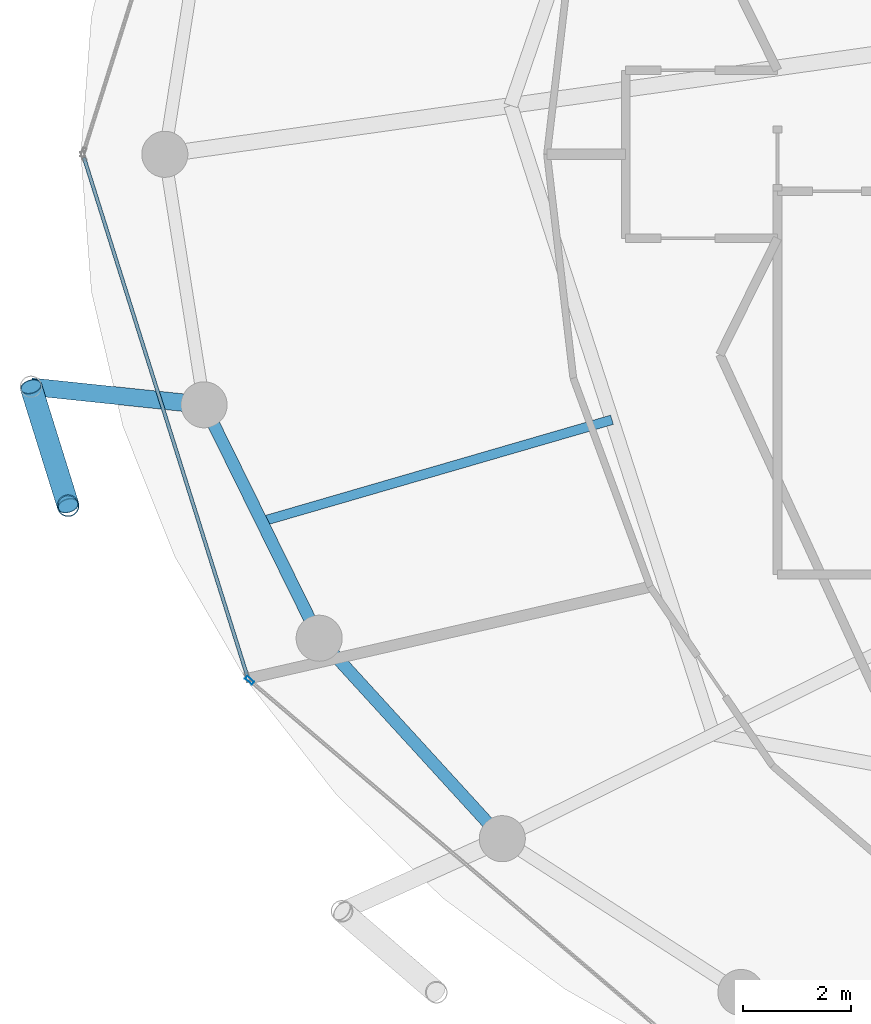
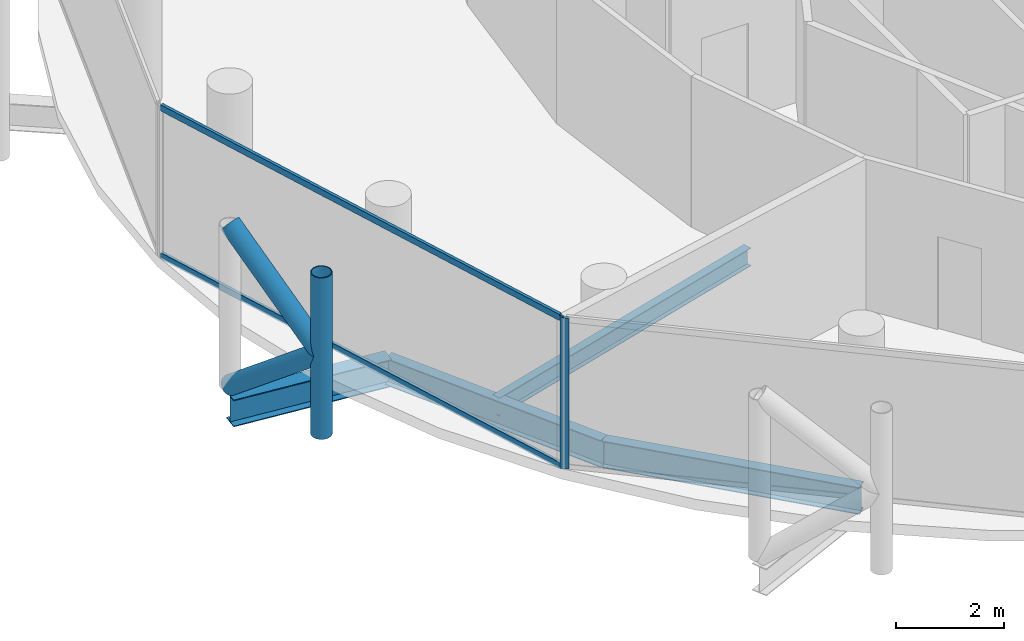
# One storey, part 3 of 27: 6 members, 4 beams, 2 elements without a shape of their own.
"""IFC4 building model written with IfcOpenShell, lengths in metres."""

from ifc_helpers import new_model, si_unit, direction, frame, origin, origin_2d, place, context, subcontext, project, spatial, hollow_rectangle, hollow_circle, i_section, extrude, material, layer, layer_set, material_profile, profile_set, type_object, element, aggregate, save


model = new_model("IFC4")

# Units and contexts
model_context = context("Model", 3, precision=1e-05, world=origin(), true_north=direction((0.0, 1.0)))
body_context = subcontext(model_context, "Body", "Model", "MODEL_VIEW")
ifc_project = project(units=[si_unit("LENGTHUNIT", "METRE"), si_unit("AREAUNIT", "SQUARE_METRE"), si_unit("VOLUMEUNIT", "CUBIC_METRE"), si_unit("PLANEANGLEUNIT", "RADIAN"), si_unit("MASSUNIT", "GRAM", prefix="KILO")], contexts=[model_context])

# Site, building, storey
site_placement = place(None, origin())
site = spatial("IfcSite", under=ifc_project, at=site_placement, CompositionType="ELEMENT")
building_placement = place(site_placement, origin())
building = spatial("IfcBuilding", under=site, at=building_placement, Name="Nuhasar Tower", CompositionType="ELEMENT")
storey_placement = place(building_placement, frame((0.0, 0.0, 208.14990234375)))
storey = spatial("IfcBuildingStorey", under=building, at=storey_placement, Name="L50", CompositionType="ELEMENT", Elevation=208.14990234375)

# Beams
ifc_material_1 = material(Name="Steel S355", Category="steel")
ifc_material_profile_1 = material_profile(ifc_material_1, i_section(OverallWidth=0.177978515625, OverallDepth=0.406005859375, WebThickness=0.0078125, FlangeThickness=0.0126953125, at=origin_2d()), Name="W16X40")
ifc_profile_set_1 = profile_set([ifc_material_profile_1], Name="Steel S355")
beam_type_1 = type_object("IfcBeamType", Name="BM-JST-W16X40", PredefinedType="JOIST", material=ifc_profile_set_1)
beam_1_placement = place(storey_placement, frame((25.9970703125, 21.904052734375, -0.44287109375), z_axis=(-0.960312689798, -0.27892568511, 0.0), x_axis=(0.27892568511, -0.960312689798, 0.0)))
element("IfcBeam", 1, at=beam_1_placement, inside=storey, type_object=beam_type_1, Name="L50 Secondary Floor Joist 08", PredefinedType="JOIST", context=body_context, shape_type="SweptSolid", body=[
    extrude(i_section(OverallWidth=0.177978515625, OverallDepth=0.406005859375, WebThickness=0.0078125, FlangeThickness=0.0126953125, at=origin_2d()), origin(), (0.0, 0.0, 1.0), 6.729248046875),
])
ifc_material_profile_2 = material_profile(ifc_material_1, i_section(OverallWidth=0.22802734375, OverallDepth=0.60791015625, WebThickness=0.01123046875, FlangeThickness=0.017333984375, at=origin_2d()), Name="W24X76")
ifc_profile_set_2 = profile_set([ifc_material_profile_2], Name="Steel S355")
beam_type_2 = type_object("IfcBeamType", Name="BM-RING-W24X76", PredefinedType="SPANDREL", material=ifc_profile_set_2)
beam_2_placement = place(storey_placement, frame((18.47412109375, 22.179931640625, -0.5439453125), z_axis=(0.442262779282, -0.896885518928, 0.0), x_axis=(0.896885518928, 0.442262779282, 0.0)))
element("IfcBeam", 2, at=beam_2_placement, inside=storey, type_object=beam_type_2, Name="L50 Perimeter Ring Spandrel 14", PredefinedType="SPANDREL", context=body_context, shape_type="SweptSolid", body=[
    extrude(i_section(OverallWidth=0.22802734375, OverallDepth=0.60791015625, WebThickness=0.01123046875, FlangeThickness=0.017333984375, at=origin_2d()), origin(), (0.0, 0.0, 1.0), 4.7998046875),
])
beam_3_placement = place(storey_placement, frame((20.596923828125, 17.875, -0.5439453125), z_axis=(0.674449692975, -0.738320805373, 0.0), x_axis=(0.738320805373, 0.674449692975, 0.0)))
element("IfcBeam", 3, at=beam_3_placement, inside=storey, type_object=beam_type_2, Name="L50 Perimeter Ring Spandrel 15", PredefinedType="SPANDREL", context=body_context, shape_type="SweptSolid", body=[
    extrude(i_section(OverallWidth=0.22802734375, OverallDepth=0.60791015625, WebThickness=0.01123046875, FlangeThickness=0.017333984375, at=origin_2d()), origin(), (0.0, 0.0, 1.0), 5.00732421875),
])
ifc_material_profile_3 = material_profile(ifc_material_1, i_section(OverallWidth=0.323974609375, OverallDepth=0.611083984375, WebThickness=0.0126953125, FlangeThickness=0.01904296875, at=origin_2d()), Name="W24X104")
ifc_profile_set_3 = profile_set([ifc_material_profile_3], Name="Steel S355")
beam_type_3 = type_object("IfcBeamType", Name="BM-TIE-W24X104", PredefinedType="BEAM", material=ifc_profile_set_3)
beam_4_placement = place(storey_placement, frame((18.47412109375, 22.179931640625, -0.544921875), z_axis=(-0.994571111079, 0.10405914187, 0.0), x_axis=(-0.10405914187, -0.994571111079, 0.0)))
element("IfcBeam", 4, at=beam_4_placement, inside=storey, type_object=beam_type_3, Name="L50 Exoskeleton Node Tie Beam 07", PredefinedType="BEAM", context=body_context, shape_type="SweptSolid", body=[
    extrude(i_section(OverallWidth=0.323974609375, OverallDepth=0.611083984375, WebThickness=0.0126953125, FlangeThickness=0.01904296875, at=origin_2d()), origin(), (0.0, 0.0, 1.0), 3.20947265625),
])

# Curtain wall, member
ifc_material_2 = material(Name="Aluminium 6063-T6", Category="aluminium")
ifc_layer = layer(ifc_material_2, 0.18994140625)
ifc_layer_set = layer_set([ifc_layer], Name="Aluminium 6063-T6")
curtain_wall_type = type_object("IfcCurtainWallType", Name="CW-Z3-RES", PredefinedType="NOTDEFINED", material=ifc_layer_set)
curtain_wall_1_placement = place(storey_placement, origin())
curtain_wall_1 = element("IfcCurtainWall", 5, at=curtain_wall_1_placement, inside=storey, type_object=curtain_wall_type, Name="L50 Unitised Curtain Wall 08", PredefinedType="NOTDEFINED")
ifc_material_profile_4 = material_profile(ifc_material_2, hollow_rectangle(XDim=0.06494140625, YDim=0.169921875, WallThickness=0.0048828125, at=origin_2d()), Name="CWM-4")
ifc_profile_set_4 = profile_set([ifc_material_profile_4], Name="Aluminium 6063-T6")
member_type_1 = type_object("IfcMemberType", Name="CW-MUL-S4", PredefinedType="MULLION", material=ifc_profile_set_4)
member_1_placement = place(storey_placement, frame((19.313720703125, 17.098876953125, 0.0), z_axis=(0.0, 0.0, 1.0), x_axis=(0.64789521578, 0.761729472562, 0.0)))
member_1 = element("IfcMember", 6, at=member_1_placement, type_object=member_type_1, Name="CW-Z3 mullion 1", PredefinedType="MULLION", context=body_context, shape_type="SweptSolid", body=[
    extrude(hollow_rectangle(XDim=0.06494140625, YDim=0.169921875, WallThickness=0.0048828125, at=origin_2d()), origin(), (0.0, 0.0, 1.0), 3.41015625),
])
aggregate(curtain_wall_1, [member_1])

# Curtain wall, members
curtain_wall_2_placement = place(storey_placement, origin())
curtain_wall_2 = element("IfcCurtainWall", 7, at=curtain_wall_2_placement, inside=storey, type_object=curtain_wall_type, Name="L50 Unitised Curtain Wall 07", PredefinedType="NOTDEFINED")
ifc_material_profile_5 = material_profile(ifc_material_2, hollow_rectangle(XDim=0.06494140625, YDim=0.139892578125, WallThickness=0.00439453125, at=origin_2d()), Name="CWT-4")
ifc_profile_set_5 = profile_set([ifc_material_profile_5], Name="Aluminium 6063-T6")
member_type_2 = type_object("IfcMemberType", Name="CW-TRN-S4", PredefinedType="USERDEFINED", material=ifc_profile_set_5)
member_2_placement = place(storey_placement, frame((16.259521484375, 26.738037109375, 0.03271484375), z_axis=(0.300430390604, -0.953803743126, 0.0), x_axis=(0.953803743126, 0.300430390604, 0.0)))
member_2 = element("IfcMember", 8, at=member_2_placement, type_object=member_type_2, Name="CW-Z3 transom 1.1", ObjectType="TRANSOM", PredefinedType="USERDEFINED", context=body_context, shape_type="SweptSolid", body=[
    extrude(hollow_rectangle(XDim=0.06494140625, YDim=0.139892578125, WallThickness=0.00439453125, at=origin_2d()), origin(), (0.0, 0.0, 1.0), 10.01904296875),
])
member_3_placement = place(storey_placement, frame((16.259521484375, 26.738037109375, 3.377685546875), z_axis=(0.300430390604, -0.953803743126, 0.0), x_axis=(0.953803743126, 0.300430390604, 0.0)))
member_3 = element("IfcMember", 9, at=member_3_placement, type_object=member_type_2, Name="CW-Z3 transom 1.2", ObjectType="TRANSOM", PredefinedType="USERDEFINED", context=body_context, shape_type="SweptSolid", body=[
    extrude(hollow_rectangle(XDim=0.06494140625, YDim=0.139892578125, WallThickness=0.00439453125, at=origin_2d()), origin(), (0.0, 0.0, 1.0), 10.01904296875),
])
aggregate(curtain_wall_2, [member_2, member_3])

# Members
ifc_material_3 = material(Name="Steel S460", Category="steel")
ifc_material_profile_6 = material_profile(ifc_material_3, hollow_circle(Radius=0.203125, WallThickness=0.01904296875, at=origin_2d()), Name="HSS406.4X19.1")
ifc_profile_set_6 = profile_set([ifc_material_profile_6], Name="Steel S460")
member_type_3 = type_object("IfcMemberType", Name="EXO-BRONZE-406", PredefinedType="BRACE", material=ifc_profile_set_6)
member_4_placement = place(storey_placement, frame((15.967041015625, 20.319091796875, 0.0), z_axis=(0.0, 0.0, 1.0), x_axis=(1.0, 0.0, 0.0)))
element("IfcMember", 10, at=member_4_placement, inside=storey, type_object=member_type_3, Name="L50 Exoskeleton Chord Column EC-07B", PredefinedType="BRACE", context=body_context, shape_type="SweptSolid", body=[
    extrude(hollow_circle(Radius=0.203125, WallThickness=0.01904296875, at=origin_2d()), origin(), (0.0, 0.0, 1.0), 3.650146484375),
])
for number, where, z_axis, x_axis, name in (
    (11, (15.281982421875, 22.513916015625, 0.0), (0.233360356896, -0.747651321632, 0.621739853228), (0.954581948223, 0.297948492404, 0.0), "L50 Bronze Diagrid Brace W1-07"),
    (12, (15.967041015625, 20.319091796875, 1.8251953125), (-0.233372423355, 0.747689980743, 0.621688832709), (-0.954581948223, -0.297948492404, 0.0), "L50 Bronze Diagrid Brace W2-07"),
):
    element("IfcMember", number, at=place(storey_placement, frame(where, z_axis=z_axis, x_axis=x_axis)), inside=storey, type_object=member_type_3, Name=name, PredefinedType="BRACE", context=body_context, shape_type="SweptSolid", body=[
        extrude(hollow_circle(Radius=0.203125, WallThickness=0.01904296875, at=origin_2d()), origin(), (0.0, 0.0, 1.0), 2.935546875),
    ])

save(model, "model.ifc")
